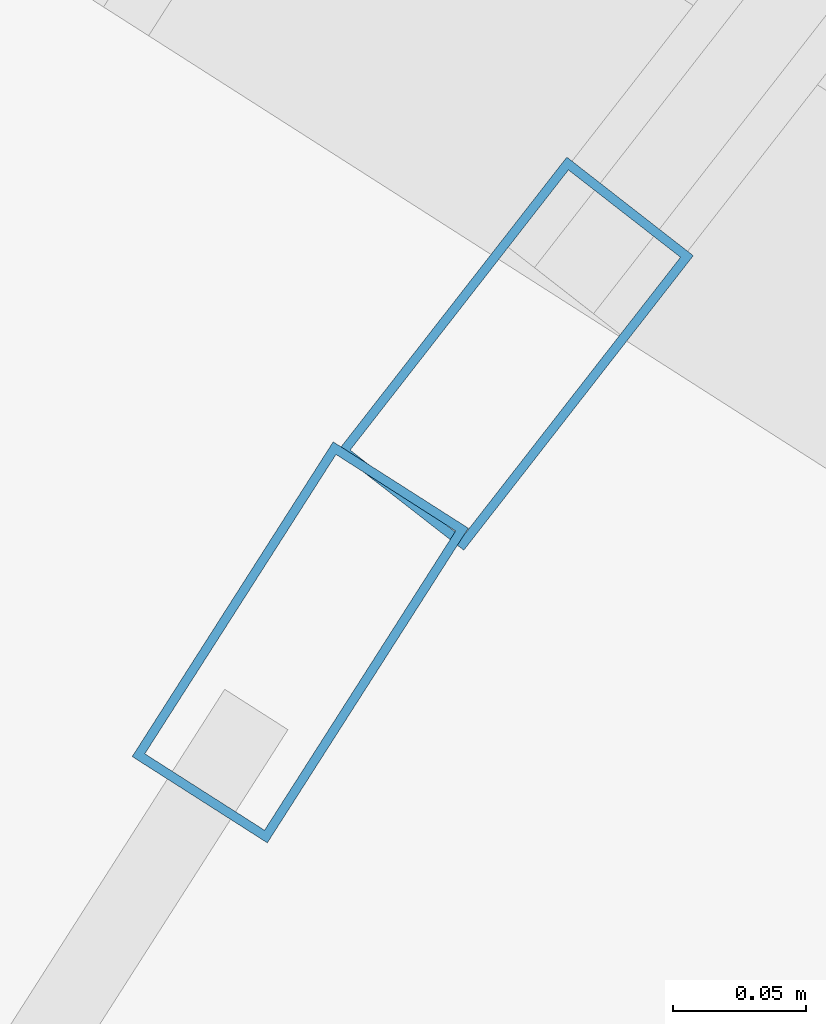
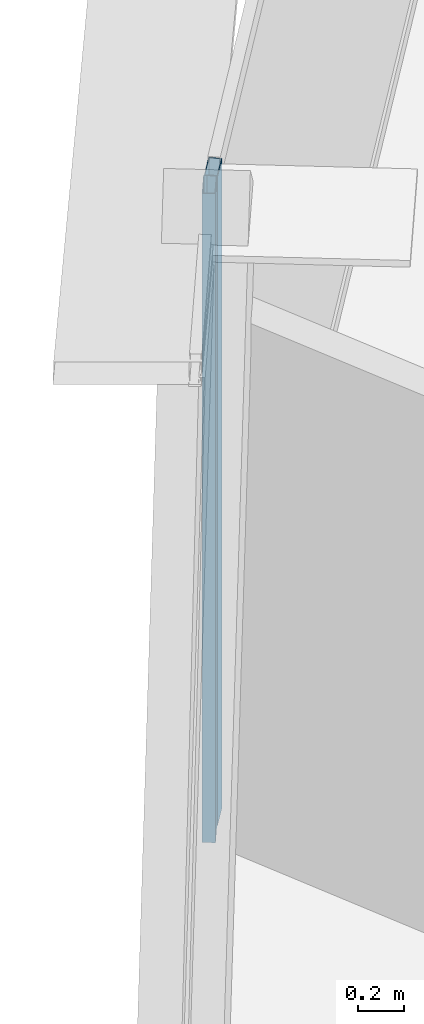
# One storey, part 20 of 39: 2 members, 2 elements without a shape of their own.
"""IFC4 building model written with IfcOpenShell, lengths in metres."""

from ifc_helpers import new_model, si_unit, direction, frame, origin, origin_2d, place, context, subcontext, project, spatial, hollow_rectangle, extrude, source, transform, mapped, material, layer, layer_set, material_profile, profile_set, type_object, element, aggregate, save


model = new_model("IFC4")

# Units and contexts
model_context = context("Model", 3, precision=1e-05, world=origin(), true_north=direction((0.0, 1.0)))
body_context = subcontext(model_context, "Body", "Model", "MODEL_VIEW")
ifc_project = project(units=[si_unit("LENGTHUNIT", "METRE"), si_unit("AREAUNIT", "SQUARE_METRE"), si_unit("VOLUMEUNIT", "CUBIC_METRE"), si_unit("PLANEANGLEUNIT", "RADIAN"), si_unit("MASSUNIT", "GRAM", prefix="KILO"), si_unit("THERMODYNAMICTEMPERATUREUNIT", "KELVIN"), si_unit("POWERUNIT", "WATT")], contexts=[model_context])

# Site, building, storey
site_placement = place(None, origin())
site = spatial("IfcSite", under=ifc_project, at=site_placement, CompositionType="ELEMENT")
building_placement = place(site_placement, origin())
building = spatial("IfcBuilding", under=site, at=building_placement, Name="Yunzhuo Pagoda Commons", CompositionType="ELEMENT")
storey_placement = place(building_placement, frame((0.0, 0.0, 285.02001953125)))
storey = spatial("IfcBuildingStorey", under=building, at=storey_placement, Name="L71", CompositionType="ELEMENT", Elevation=285.02001953125)

# Curtain wall, member
ifc_material = material(Name="Anodized aluminium 6063-T6", Category="aluminium")
ifc_layer = layer(ifc_material, 0.139892578125)
ifc_layer_set = layer_set([ifc_layer], Name="Anodized aluminium 6063-T6")
curtain_wall_type = type_object("IfcCurtainWallType", Name="CW-HI High-Zone Ribbon Curtain Wall", PredefinedType="NOTDEFINED", material=ifc_layer_set)
curtain_wall_1_placement = place(storey_placement, origin())
curtain_wall_1 = element("IfcCurtainWall", 1, at=curtain_wall_1_placement, inside=storey, type_object=curtain_wall_type, Name="L71 curtain wall CW-L71-F3B2", PredefinedType="NOTDEFINED")
ifc_material_profile = material_profile(ifc_material, hollow_rectangle(XDim=0.06005859375, YDim=0.139892578125, WallThickness=0.00341796875, at=origin_2d()), Name="Anodized aluminium 6063-T6")
ifc_profile_set = profile_set([ifc_material_profile], Name="Anodized aluminium 6063-T6")
member_type = type_object("IfcMemberType", Name="CW-HI-M Mullion RHS 140x60x3.5", PredefinedType="MULLION", material=ifc_profile_set)
shared_shape = source(origin(), body_context, "Body", "SweptSolid", [
    extrude(hollow_rectangle(XDim=0.06005859375, YDim=0.139892578125, WallThickness=0.00341796875, at=origin_2d()), origin(), (0.0, 0.0, 1.0), 3.4697265625),
])
member_1_placement = place(storey_placement, frame((34.473388671875, 64.020263671875, 0.000244140625), z_axis=(0.0, 0.0, 1.0), x_axis=(0.842779157761, -0.538259501768, 0.0)))
member_1 = element("IfcMember", 2, at=member_1_placement, type_object=member_type, Name="CW mullion 1", PredefinedType="MULLION", context=body_context, shape_type="MappedRepresentation", body=[
    mapped(shared_shape, transform((0.0, 0.0, 0.0), scale=1.0)),
])
aggregate(curtain_wall_1, [member_1])

curtain_wall_2_placement = place(storey_placement, origin())
curtain_wall_2 = element("IfcCurtainWall", 3, at=curtain_wall_2_placement, inside=storey, type_object=curtain_wall_type, Name="L71 curtain wall CW-L71-F3B1", PredefinedType="NOTDEFINED")
member_2_placement = place(storey_placement, frame((34.553955078125, 64.12841796875, 0.000244140625), z_axis=(0.0, 0.0, 1.0), x_axis=(0.78878314481, -0.614671579353, 0.0)))
member_2 = element("IfcMember", 4, at=member_2_placement, type_object=member_type, Name="CW mullion 2", PredefinedType="MULLION", context=body_context, shape_type="MappedRepresentation", body=[
    mapped(shared_shape, transform((0.0, 0.0, 0.0), scale=1.0)),
])
aggregate(curtain_wall_2, [member_2])

save(model, "model.ifc")
